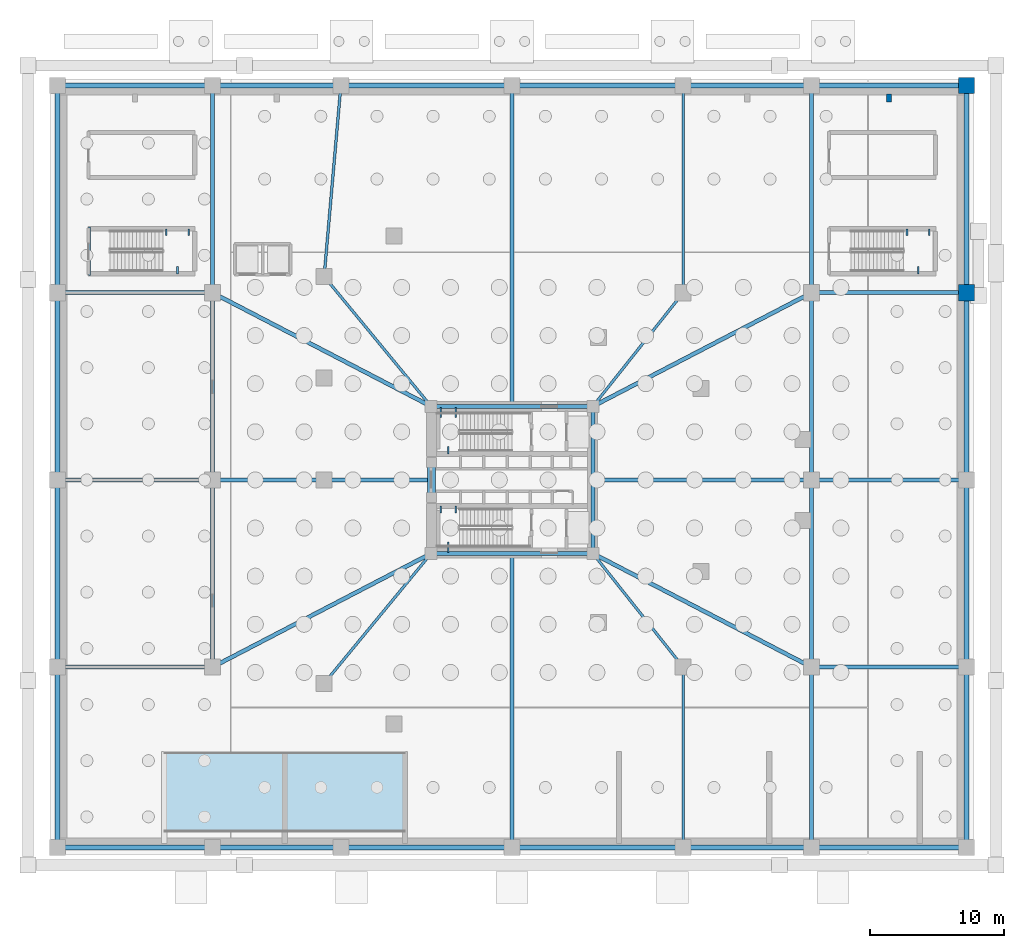
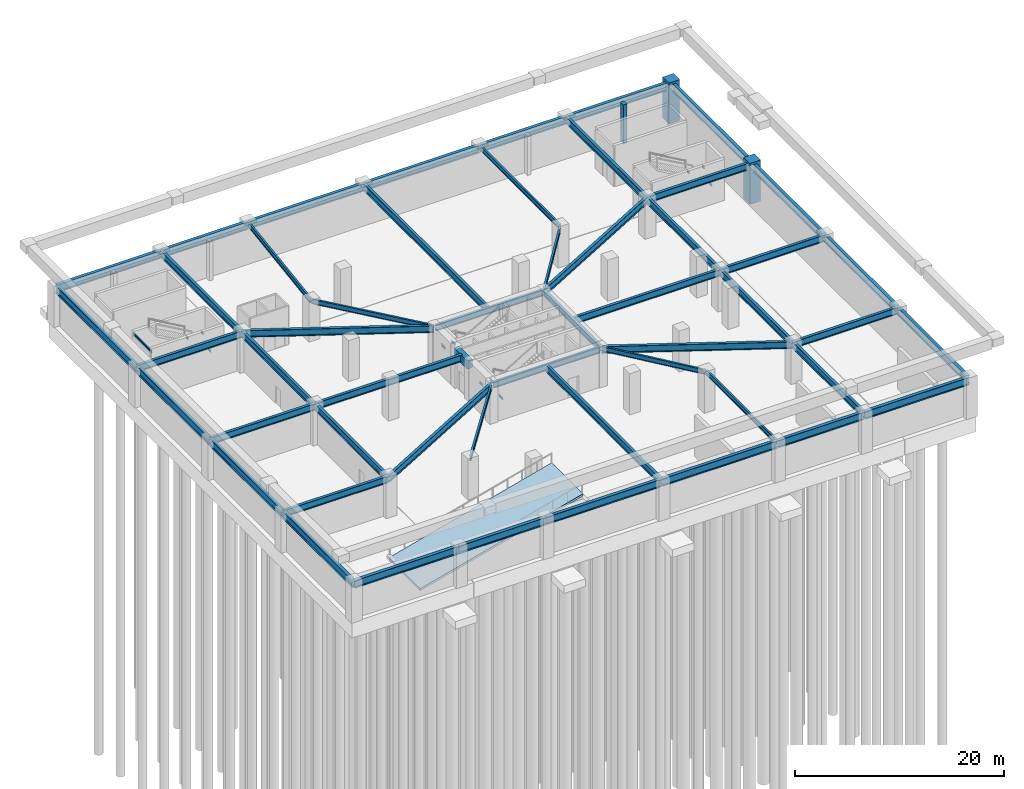
# One storey, part 3 of 14: 65 beams, 3 columns, 1 slab.
"""IFC4 building model written with IfcOpenShell, lengths in metres."""

from ifc_helpers import new_model, si_unit, direction, frame, origin, origin_2d, place, context, subcontext, project, spatial, polyline, rectangle, i_section, outline, extrude, source, transform, mapped, material, layer, layer_set, material_profile, profile_set, type_object, element, save


model = new_model("IFC4")

# Units and contexts
model_context = context("Model", 3, precision=1e-05, world=origin(), true_north=direction((0.0, 1.0)))
body_context = subcontext(model_context, "Body", "Model", "MODEL_VIEW")
ifc_project = project(units=[si_unit("LENGTHUNIT", "METRE"), si_unit("AREAUNIT", "SQUARE_METRE"), si_unit("VOLUMEUNIT", "CUBIC_METRE"), si_unit("PLANEANGLEUNIT", "RADIAN"), si_unit("MASSUNIT", "GRAM", prefix="KILO")], contexts=[model_context])

# Site, building, storey
site_placement = place(None, origin())
site = spatial("IfcSite", under=ifc_project, at=site_placement, CompositionType="ELEMENT")
building_placement = place(site_placement, origin())
building = spatial("IfcBuilding", under=site, at=building_placement, Name="Yunling Apex Tower", CompositionType="ELEMENT")
storey_placement = place(building_placement, frame((0.0, 0.0, -9.60009765625)))
storey = spatial("IfcBuildingStorey", under=building, at=storey_placement, Name="B02", CompositionType="ELEMENT", Elevation=-9.60009765625)

# Columns
ifc_material_1 = material(Name="Concrete C50", Category="concrete")
ifc_material_profile_1 = material_profile(ifc_material_1, rectangle(XDim=0.39990234375, YDim=0.60009765625, at=origin_2d()))
ifc_profile_set_1 = profile_set([ifc_material_profile_1], Name="Concrete C50")
column_type_1 = type_object("IfcColumnType", Name="PL-PIL-1", PredefinedType="PILASTER", material=ifc_profile_set_1)
shared_shape_1 = source(origin(), body_context, "Body", "SweptSolid", [
    extrude(rectangle(XDim=0.39990234375, YDim=0.60009765625, at=origin_2d()), origin(), (0.0, 0.0, 1.0), 4.5400390625),
])
column_placement = place(storey_placement, frame((28.199951171875, 28.550048828125, 0.0), z_axis=(0.0, 0.0, 1.0), x_axis=(1.0, 0.0, 0.0)))
element("IfcColumn", 1, at=column_placement, inside=storey, type_object=column_type_1, Name="B02 Retaining Wall Pilaster 4", PredefinedType="PILASTER", context=body_context, shape_type="MappedRepresentation", body=[
    mapped(shared_shape_1, transform((0.0, 0.0, 0.0), scale=1.0)),
])
ifc_material_2 = material(Name="Concrete C60", Category="concrete")
ifc_material_profile_2 = material_profile(ifc_material_2, rectangle(XDim=1.199951171875, YDim=1.199951171875, at=origin_2d()))
ifc_profile_set_2 = profile_set([ifc_material_profile_2], Name="Concrete C60")
column_type_2 = type_object("IfcColumnType", Name="PC-SRC-1", PredefinedType="COLUMN", material=ifc_profile_set_2)
shared_shape_2 = source(origin(), body_context, "Body", "SweptSolid", [
    extrude(rectangle(XDim=1.199951171875, YDim=1.199951171875, at=origin_2d()), origin(), (0.0, 0.0, 1.0), 4.800048828125),
])
for number, where, z_axis, x_axis, name in (
    (2, (34.0, 14.0, 0.0), (0.0, 0.0, 1.0), (1.0, 0.0, 0.0), "B02 Podium Mega-Column PC-23"),
    (3, (34.0, 29.5, 0.0), (0.0, 0.0, 1.0), (1.0, 0.0, 0.0), "B02 Podium Mega-Column PC-30"),
):
    element("IfcColumn", number, at=place(storey_placement, frame(where, z_axis=z_axis, x_axis=x_axis)), inside=storey, type_object=column_type_2, Name=name, PredefinedType="COLUMN", context=body_context, shape_type="MappedRepresentation", body=[
        mapped(shared_shape_2, transform((0.0, 0.0, 0.0), scale=1.0)),
    ])

# Beams
ifc_material_3 = material(Name="Steel Q355B", Category="steel")
ifc_material_profile_3 = material_profile(ifc_material_3, i_section(OverallWidth=0.125, OverallDepth=0.25, WebThickness=0.006103515625, FlangeThickness=0.009033203125, FilletRadius=0.011962890625, at=origin_2d()))
ifc_profile_set_3 = profile_set([ifc_material_profile_3], Name="Steel Q355B")
beam_type_1 = type_object("IfcBeamType", Name="BL-LNT-1", PredefinedType="LINTEL", material=ifc_profile_set_3)
shared_shape_3 = source(origin(), body_context, "Body", "SweptSolid", [
    extrude(i_section(OverallWidth=0.125, OverallDepth=0.25, WebThickness=0.006103515625, FlangeThickness=0.009033203125, FilletRadius=0.011962890625, at=origin_2d()), origin(), (0.0, 0.0, 1.0), 0.760009765625),
])
for number, where, z_axis, x_axis, name in (
    (4, (-5.320068359375, 5.419921875, 2.080078125), (0.0, -1.0, 0.0), (1.0, 0.0, 0.0), "B02 ST-1 Landing Bearing Corbel 1-1"),
    (5, (-4.2099609375, 5.419921875, 2.080078125), (0.0, -1.0, 0.0), (1.0, 0.0, 0.0), "B02 ST-1 Landing Bearing Corbel 1-2"),
    (6, (-4.764892578125, -5.419921875, 2.080078125), (0.0, 1.0, 0.0), (-1.0, 0.0, 0.0), "B02 ST-2 Landing Bearing Corbel 1-3"),
):
    element("IfcBeam", number, at=place(storey_placement, frame(where, z_axis=z_axis, x_axis=x_axis)), inside=storey, type_object=beam_type_1, Name=name, PredefinedType="LINTEL", context=body_context, shape_type="MappedRepresentation", body=[
        mapped(shared_shape_3, transform((0.0, 0.0, 0.0), scale=1.0)),
    ])
shared_shape_4 = source(origin(), body_context, "Body", "SweptSolid", [
    extrude(i_section(OverallWidth=0.125, OverallDepth=0.25, WebThickness=0.006103515625, FlangeThickness=0.009033203125, FilletRadius=0.011962890625, at=origin_2d()), origin(), (0.0, 0.0, 1.0), 0.550048828125),
])
for number, where, z_axis, x_axis, name in (
    (7, (-4.764892578125, 1.93994140625, 2.080078125), (0.0, 1.0, 0.0), (-1.0, 0.0, 0.0), "B02 ST-1 Landing Bearing Corbel 1-3"),
    (8, (-5.320068359375, -1.93994140625, 2.080078125), (0.0, -1.0, 0.0), (1.0, 0.0, 0.0), "B02 ST-2 Landing Bearing Corbel 1-1"),
    (9, (-4.2099609375, -1.93994140625, 2.080078125), (0.0, -1.0, 0.0), (1.0, 0.0, 0.0), "B02 ST-2 Landing Bearing Corbel 1-2"),
):
    element("IfcBeam", number, at=place(storey_placement, frame(where, z_axis=z_axis, x_axis=x_axis)), inside=storey, type_object=beam_type_1, Name=name, PredefinedType="LINTEL", context=body_context, shape_type="MappedRepresentation", body=[
        mapped(shared_shape_4, transform((0.0, 0.0, 0.0), scale=1.0)),
    ])
shared_shape_5 = source(origin(), body_context, "Body", "SweptSolid", [
    extrude(i_section(OverallWidth=0.125, OverallDepth=0.25, WebThickness=0.006103515625, FlangeThickness=0.009033203125, FilletRadius=0.011962890625, at=origin_2d()), origin(), (0.0, 0.0, 1.0), 0.47998046875),
])
for number, where, z_axis, x_axis, name in (
    (10, (-25.85009765625, 18.780029296875, 2.080078125), (0.0, -1.0, 0.0), (1.0, 0.0, 0.0), "B02 ST-P1 Landing Bearing Corbel 1-1"),
    (11, (-24.179931640625, 18.780029296875, 2.080078125), (0.0, -1.0, 0.0), (1.0, 0.0, 0.0), "B02 ST-P1 Landing Bearing Corbel 1-2"),
    (12, (29.550048828125, 18.780029296875, 2.080078125), (0.0, -1.0, 0.0), (1.0, 0.0, 0.0), "B02 ST-P2 Landing Bearing Corbel 1-1"),
    (13, (31.219970703125, 18.780029296875, 2.080078125), (0.0, -1.0, 0.0), (1.0, 0.0, 0.0), "B02 ST-P2 Landing Bearing Corbel 1-2"),
):
    element("IfcBeam", number, at=place(storey_placement, frame(where, z_axis=z_axis, x_axis=x_axis)), inside=storey, type_object=beam_type_1, Name=name, PredefinedType="LINTEL", context=body_context, shape_type="MappedRepresentation", body=[
        mapped(shared_shape_5, transform((0.0, 0.0, 0.0), scale=1.0)),
    ])
shared_shape_6 = source(origin(), body_context, "Body", "SweptSolid", [
    extrude(i_section(OverallWidth=0.125, OverallDepth=0.25, WebThickness=0.006103515625, FlangeThickness=0.009033203125, FilletRadius=0.011962890625, at=origin_2d()), origin(), (0.0, 0.0, 1.0), 0.530029296875),
])
for number, where, z_axis, x_axis, name in (
    (14, (-25.014892578125, 15.419921875, 2.080078125), (0.0, 1.0, 0.0), (-1.0, 0.0, 0.0), "B02 ST-P1 Landing Bearing Corbel 1-3"),
    (15, (30.385009765625, 15.419921875, 2.080078125), (0.0, 1.0, 0.0), (-1.0, 0.0, 0.0), "B02 ST-P2 Landing Bearing Corbel 1-3"),
):
    element("IfcBeam", number, at=place(storey_placement, frame(where, z_axis=z_axis, x_axis=x_axis)), inside=storey, type_object=beam_type_1, Name=name, PredefinedType="LINTEL", context=body_context, shape_type="MappedRepresentation", body=[
        mapped(shared_shape_6, transform((0.0, 0.0, 0.0), scale=1.0)),
    ])
ifc_material_profile_4 = material_profile(ifc_material_2, rectangle(XDim=0.60009765625, YDim=1.0, at=origin_2d()))
ifc_profile_set_4 = profile_set([ifc_material_profile_4], Name="Concrete C60")
beam_type_2 = type_object("IfcBeamType", Name="BC-CPL-1", PredefinedType="BEAM", material=ifc_profile_set_4)
shared_shape_7 = source(origin(), body_context, "Body", "SweptSolid", [
    extrude(rectangle(XDim=0.60009765625, YDim=1.0, at=origin_2d()), origin(), (0.0, 0.0, 1.0), 2.5),
])
beam_1_placement = place(storey_placement, frame((-6.02490234375, -1.25, 4.0400390625), z_axis=(0.0, 1.0, 0.0), x_axis=(-1.0, 0.0, 0.0)))
element("IfcBeam", 16, at=beam_1_placement, inside=storey, type_object=beam_type_2, Name="B02 Core West Portal Coupling Beam", PredefinedType="BEAM", context=body_context, shape_type="MappedRepresentation", body=[
    mapped(shared_shape_7, transform((0.0, 0.0, 0.0), scale=1.0)),
])
ifc_material_profile_5 = material_profile(ifc_material_3, i_section(OverallWidth=0.300048828125, OverallDepth=0.699951171875, WebThickness=0.012939453125, FlangeThickness=0.02392578125, FilletRadius=0.02587890625, at=origin_2d()))
ifc_profile_set_5 = profile_set([ifc_material_profile_5], Name="Steel Q355B")
beam_type_3 = type_object("IfcBeamType", Name="BG-PRI-3", PredefinedType="USERDEFINED", material=ifc_profile_set_5)
shared_shape_8 = source(origin(), body_context, "Body", "SweptSolid", [
    extrude(i_section(OverallWidth=0.300048828125, OverallDepth=0.699951171875, WebThickness=0.012939453125, FlangeThickness=0.02392578125, FilletRadius=0.02587890625, at=origin_2d()), origin(), (0.0, 0.0, 1.0), 11.7998046875),
])
for number, where, z_axis, x_axis, name in (
    (17, (-5.89990234375, -5.5, 4.190185546875), (1.0, 0.0, 0.0), (0.0, 1.0, 0.0), "B02 Core Ring Tie Beam 1"),
    (18, (5.89990234375, 5.5, 4.190185546875), (-1.0, 0.0, 0.0), (0.0, -1.0, 0.0), "B02 Core Ring Tie Beam 3"),
):
    element("IfcBeam", number, at=place(storey_placement, frame(where, z_axis=z_axis, x_axis=x_axis)), inside=storey, type_object=beam_type_3, Name=name, ObjectType="GIRDER", PredefinedType="USERDEFINED", context=body_context, shape_type="MappedRepresentation", body=[
        mapped(shared_shape_8, transform((0.0, 0.0, 0.0), scale=1.0)),
    ])
shared_shape_9 = source(origin(), body_context, "Body", "SweptSolid", [
    extrude(i_section(OverallWidth=0.300048828125, OverallDepth=0.699951171875, WebThickness=0.012939453125, FlangeThickness=0.02392578125, FilletRadius=0.02587890625, at=origin_2d()), origin(), (0.0, 0.0, 1.0), 10.7001953125),
])
beam_2_placement = place(storey_placement, frame((6.050048828125, -5.35009765625, 4.190185546875), z_axis=(0.0, 1.0, 0.0), x_axis=(-1.0, 0.0, 0.0)))
element("IfcBeam", 19, at=beam_2_placement, inside=storey, type_object=beam_type_3, Name="B02 Core Ring Tie Beam 2", ObjectType="GIRDER", PredefinedType="USERDEFINED", context=body_context, shape_type="MappedRepresentation", body=[
    mapped(shared_shape_9, transform((0.0, 0.0, 0.0), scale=1.0)),
])
ifc_material_profile_6 = material_profile(ifc_material_3, i_section(OverallWidth=0.35009765625, OverallDepth=0.89990234375, WebThickness=0.01806640625, FlangeThickness=0.028076171875, FilletRadius=0.02392578125, at=origin_2d()))
ifc_profile_set_6 = profile_set([ifc_material_profile_6], Name="Steel Q355B")
beam_type_4 = type_object("IfcBeamType", Name="BG-PRI-1", PredefinedType="USERDEFINED", material=ifc_profile_set_6)
shared_shape_10 = source(origin(), body_context, "Body", "SweptSolid", [
    extrude(i_section(OverallWidth=0.35009765625, OverallDepth=0.89990234375, WebThickness=0.01806640625, FlangeThickness=0.028076171875, FilletRadius=0.02392578125, at=origin_2d()), origin(), (0.0, 0.0, 1.0), 11.52001953125),
])
for number, where, z_axis, x_axis, name in (
    (20, (-33.9599609375, -27.5, 4.090087890625), (1.0, 0.0, 0.0), (0.0, 1.0, 0.0), "B02 Podium Edge Girder 1"),
    (21, (22.43994140625, -27.5, 4.090087890625), (1.0, 0.0, 0.0), (0.0, 1.0, 0.0), "B02 Podium Edge Girder 6"),
    (22, (-33.9599609375, 29.5, 4.090087890625), (1.0, 0.0, 0.0), (0.0, 1.0, 0.0), "B02 Podium Edge Girder 7"),
    (23, (22.43994140625, 29.5, 4.090087890625), (1.0, 0.0, 0.0), (0.0, 1.0, 0.0), "B02 Podium Edge Girder 12"),
):
    element("IfcBeam", number, at=place(storey_placement, frame(where, z_axis=z_axis, x_axis=x_axis)), inside=storey, type_object=beam_type_4, Name=name, ObjectType="GIRDER", PredefinedType="USERDEFINED", context=body_context, shape_type="MappedRepresentation", body=[
        mapped(shared_shape_10, transform((0.0, 0.0, 0.0), scale=1.0)),
    ])
shared_shape_11 = source(origin(), body_context, "Body", "SweptSolid", [
    extrude(i_section(OverallWidth=0.35009765625, OverallDepth=0.89990234375, WebThickness=0.01806640625, FlangeThickness=0.028076171875, FilletRadius=0.02392578125, at=origin_2d()), origin(), (0.0, 0.0, 1.0), 9.52001953125),
])
for number, where, z_axis, x_axis, name in (
    (24, (-22.360107421875, -27.5, 4.090087890625), (1.0, 0.0, 0.0), (0.0, 1.0, 0.0), "B02 Podium Edge Girder 2"),
    (25, (12.840087890625, -27.5, 4.090087890625), (1.0, 0.0, 0.0), (0.0, 1.0, 0.0), "B02 Podium Edge Girder 5"),
    (26, (-22.360107421875, 29.5, 4.090087890625), (1.0, 0.0, 0.0), (0.0, 1.0, 0.0), "B02 Podium Edge Girder 8"),
    (27, (12.840087890625, 29.5, 4.090087890625), (1.0, 0.0, 0.0), (0.0, 1.0, 0.0), "B02 Podium Edge Girder 11"),
):
    element("IfcBeam", number, at=place(storey_placement, frame(where, z_axis=z_axis, x_axis=x_axis)), inside=storey, type_object=beam_type_4, Name=name, ObjectType="GIRDER", PredefinedType="USERDEFINED", context=body_context, shape_type="MappedRepresentation", body=[
        mapped(shared_shape_11, transform((0.0, 0.0, 0.0), scale=1.0)),
    ])
shared_shape_12 = source(origin(), body_context, "Body", "SweptSolid", [
    extrude(i_section(OverallWidth=0.35009765625, OverallDepth=0.89990234375, WebThickness=0.01806640625, FlangeThickness=0.028076171875, FilletRadius=0.02392578125, at=origin_2d()), origin(), (0.0, 0.0, 1.0), 12.719970703125),
])
for number, where, z_axis, x_axis, name in (
    (28, (-12.760009765625, -27.5, 4.090087890625), (1.0, 0.0, 0.0), (0.0, 1.0, 0.0), "B02 Podium Edge Girder 3"),
    (29, (0.0400390625, -27.5, 4.090087890625), (1.0, 0.0, 0.0), (0.0, 1.0, 0.0), "B02 Podium Edge Girder 4"),
    (30, (-12.760009765625, 29.5, 4.090087890625), (1.0, 0.0, 0.0), (0.0, 1.0, 0.0), "B02 Podium Edge Girder 9"),
    (31, (0.0400390625, 29.5, 4.090087890625), (1.0, 0.0, 0.0), (0.0, 1.0, 0.0), "B02 Podium Edge Girder 10"),
):
    element("IfcBeam", number, at=place(storey_placement, frame(where, z_axis=z_axis, x_axis=x_axis)), inside=storey, type_object=beam_type_4, Name=name, ObjectType="GIRDER", PredefinedType="USERDEFINED", context=body_context, shape_type="MappedRepresentation", body=[
        mapped(shared_shape_12, transform((0.0, 0.0, 0.0), scale=1.0)),
    ])
shared_shape_13 = source(origin(), body_context, "Body", "SweptSolid", [
    extrude(i_section(OverallWidth=0.35009765625, OverallDepth=0.89990234375, WebThickness=0.01806640625, FlangeThickness=0.028076171875, FilletRadius=0.02392578125, at=origin_2d()), origin(), (0.0, 0.0, 1.0), 13.419921875),
])
for number, where, z_axis, x_axis, name in (
    (32, (-34.0, -27.4599609375, 4.090087890625), (0.0, 1.0, 0.0), (-1.0, 0.0, 0.0), "B02 Podium Side Girder 13"),
    (33, (34.0, -27.4599609375, 4.090087890625), (0.0, 1.0, 0.0), (-1.0, 0.0, 0.0), "B02 Podium Side Girder 17"),
):
    element("IfcBeam", number, at=place(storey_placement, frame(where, z_axis=z_axis, x_axis=x_axis)), inside=storey, type_object=beam_type_4, Name=name, ObjectType="GIRDER", PredefinedType="USERDEFINED", context=body_context, shape_type="MappedRepresentation", body=[
        mapped(shared_shape_13, transform((0.0, 0.0, 0.0), scale=1.0)),
    ])
shared_shape_14 = source(origin(), body_context, "Body", "SweptSolid", [
    extrude(i_section(OverallWidth=0.35009765625, OverallDepth=0.89990234375, WebThickness=0.01806640625, FlangeThickness=0.028076171875, FilletRadius=0.02392578125, at=origin_2d()), origin(), (0.0, 0.0, 1.0), 13.919921875),
])
for number, where, z_axis, x_axis, name in (
    (34, (-34.0, -13.9599609375, 4.090087890625), (0.0, 1.0, 0.0), (-1.0, 0.0, 0.0), "B02 Podium Side Girder 14"),
    (35, (-34.0, 0.0400390625, 4.090087890625), (0.0, 1.0, 0.0), (-1.0, 0.0, 0.0), "B02 Podium Side Girder 15"),
    (36, (34.0, -13.9599609375, 4.090087890625), (0.0, 1.0, 0.0), (-1.0, 0.0, 0.0), "B02 Podium Side Girder 18"),
    (37, (34.0, 0.0400390625, 4.090087890625), (0.0, 1.0, 0.0), (-1.0, 0.0, 0.0), "B02 Podium Side Girder 19"),
):
    element("IfcBeam", number, at=place(storey_placement, frame(where, z_axis=z_axis, x_axis=x_axis)), inside=storey, type_object=beam_type_4, Name=name, ObjectType="GIRDER", PredefinedType="USERDEFINED", context=body_context, shape_type="MappedRepresentation", body=[
        mapped(shared_shape_14, transform((0.0, 0.0, 0.0), scale=1.0)),
    ])
shared_shape_15 = source(origin(), body_context, "Body", "SweptSolid", [
    extrude(i_section(OverallWidth=0.35009765625, OverallDepth=0.89990234375, WebThickness=0.01806640625, FlangeThickness=0.028076171875, FilletRadius=0.02392578125, at=origin_2d()), origin(), (0.0, 0.0, 1.0), 15.419921875),
])
for number, where, z_axis, x_axis, name in (
    (38, (-34.0, 14.0400390625, 4.090087890625), (0.0, 1.0, 0.0), (-1.0, 0.0, 0.0), "B02 Podium Side Girder 16"),
    (39, (34.0, 14.0400390625, 4.090087890625), (0.0, 1.0, 0.0), (-1.0, 0.0, 0.0), "B02 Podium Side Girder 20"),
):
    element("IfcBeam", number, at=place(storey_placement, frame(where, z_axis=z_axis, x_axis=x_axis)), inside=storey, type_object=beam_type_4, Name=name, ObjectType="GIRDER", PredefinedType="USERDEFINED", context=body_context, shape_type="MappedRepresentation", body=[
        mapped(shared_shape_15, transform((0.0, 0.0, 0.0), scale=1.0)),
    ])
ifc_material_profile_7 = material_profile(ifc_material_3, i_section(OverallWidth=0.300048828125, OverallDepth=0.800048828125, WebThickness=0.013916015625, FlangeThickness=0.02587890625, FilletRadius=0.028076171875, at=origin_2d()))
ifc_profile_set_7 = profile_set([ifc_material_profile_7], Name="Steel Q355B")
beam_type_5 = type_object("IfcBeamType", Name="BG-PRI-2", PredefinedType="USERDEFINED", material=ifc_profile_set_7)
shared_shape_16 = source(origin(), body_context, "Body", "SweptSolid", [
    extrude(i_section(OverallWidth=0.300048828125, OverallDepth=0.800048828125, WebThickness=0.013916015625, FlangeThickness=0.02587890625, FilletRadius=0.028076171875, at=origin_2d()), origin(), (0.0, 0.0, 1.0), 11.52001953125),
])
for number, where, z_axis, x_axis, name in (
    (40, (-33.9599609375, 14.0, 4.14013671875), (1.0, 0.0, 0.0), (0.0, 1.0, 0.0), "B02 Podium Primary Girder 1"),
    (41, (22.43994140625, 14.0, 4.14013671875), (1.0, 0.0, 0.0), (0.0, 1.0, 0.0), "B02 Podium Primary Girder 4"),
    (42, (-33.9599609375, -14.0, 4.14013671875), (1.0, 0.0, 0.0), (0.0, 1.0, 0.0), "B02 Podium Primary Girder 5"),
    (43, (22.43994140625, -14.0, 4.14013671875), (1.0, 0.0, 0.0), (0.0, 1.0, 0.0), "B02 Podium Primary Girder 8"),
    (44, (-33.9599609375, 0.0, 4.14013671875), (1.0, 0.0, 0.0), (0.0, 1.0, 0.0), "B02 Podium Primary Girder 9"),
    (45, (22.43994140625, 0.0, 4.14013671875), (1.0, 0.0, 0.0), (0.0, 1.0, 0.0), "B02 Podium Primary Girder 12"),
):
    element("IfcBeam", number, at=place(storey_placement, frame(where, z_axis=z_axis, x_axis=x_axis)), inside=storey, type_object=beam_type_5, Name=name, ObjectType="GIRDER", PredefinedType="USERDEFINED", context=body_context, shape_type="MappedRepresentation", body=[
        mapped(shared_shape_16, transform((0.0, 0.0, 0.0), scale=1.0)),
    ])
shared_shape_17 = source(origin(), body_context, "Body", "SweptSolid", [
    extrude(i_section(OverallWidth=0.300048828125, OverallDepth=0.800048828125, WebThickness=0.013916015625, FlangeThickness=0.02587890625, FilletRadius=0.028076171875, at=origin_2d()), origin(), (0.0, 0.0, 1.0), 18.347412109375),
])
for number, where, z_axis, x_axis, name in (
    (46, (-22.364501953125, 13.9814453125, 4.14013671875), (0.887266251523, -0.461257627481, 0.0), (0.461257627481, 0.887266251523, 0.0), "B02 Podium Primary Girder 2"),
    (47, (6.08544921875, 5.5185546875, 4.14013671875), (0.887266251523, 0.461257627481, 0.0), (-0.461257627481, 0.887266251523, 0.0), "B02 Podium Primary Girder 3"),
    (48, (-22.364501953125, -13.9814453125, 4.14013671875), (0.887266251523, 0.461257627481, 0.0), (-0.461257627481, 0.887266251523, 0.0), "B02 Podium Primary Girder 6"),
    (49, (6.08544921875, -5.5185546875, 4.14013671875), (0.887266251523, -0.461257627481, 0.0), (0.461257627481, 0.887266251523, 0.0), "B02 Podium Primary Girder 7"),
):
    element("IfcBeam", number, at=place(storey_placement, frame(where, z_axis=z_axis, x_axis=x_axis)), inside=storey, type_object=beam_type_5, Name=name, ObjectType="GIRDER", PredefinedType="USERDEFINED", context=body_context, shape_type="MappedRepresentation", body=[
        mapped(shared_shape_17, transform((0.0, 0.0, 0.0), scale=1.0)),
    ])
shared_shape_18 = source(origin(), body_context, "Body", "SweptSolid", [
    extrude(i_section(OverallWidth=0.300048828125, OverallDepth=0.800048828125, WebThickness=0.013916015625, FlangeThickness=0.02587890625, FilletRadius=0.028076171875, at=origin_2d()), origin(), (0.0, 0.0, 1.0), 16.22021484375),
])
for number, where, z_axis, x_axis, name in (
    (50, (-22.360107421875, 0.0, 4.14013671875), (1.0, 0.0, 0.0), (0.0, 1.0, 0.0), "B02 Podium Primary Girder 10"),
    (51, (6.139892578125, 0.0, 4.14013671875), (1.0, 0.0, 0.0), (0.0, 1.0, 0.0), "B02 Podium Primary Girder 11"),
):
    element("IfcBeam", number, at=place(storey_placement, frame(where, z_axis=z_axis, x_axis=x_axis)), inside=storey, type_object=beam_type_5, Name=name, ObjectType="GIRDER", PredefinedType="USERDEFINED", context=body_context, shape_type="MappedRepresentation", body=[
        mapped(shared_shape_18, transform((0.0, 0.0, 0.0), scale=1.0)),
    ])
shared_shape_19 = source(origin(), body_context, "Body", "SweptSolid", [
    extrude(i_section(OverallWidth=0.300048828125, OverallDepth=0.800048828125, WebThickness=0.013916015625, FlangeThickness=0.02587890625, FilletRadius=0.028076171875, at=origin_2d()), origin(), (0.0, 0.0, 1.0), 15.419921875),
])
for number, where, z_axis, x_axis, name in (
    (52, (-22.39990234375, 29.4599609375, 4.14013671875), (0.0, -1.0, 0.0), (1.0, 0.0, 0.0), "B02 Podium Primary Girder 13"),
    (53, (22.39990234375, 29.4599609375, 4.14013671875), (0.0, -1.0, 0.0), (1.0, 0.0, 0.0), "B02 Podium Primary Girder 17"),
):
    element("IfcBeam", number, at=place(storey_placement, frame(where, z_axis=z_axis, x_axis=x_axis)), inside=storey, type_object=beam_type_5, Name=name, ObjectType="GIRDER", PredefinedType="USERDEFINED", context=body_context, shape_type="MappedRepresentation", body=[
        mapped(shared_shape_19, transform((0.0, 0.0, 0.0), scale=1.0)),
    ])
shared_shape_20 = source(origin(), body_context, "Body", "SweptSolid", [
    extrude(i_section(OverallWidth=0.300048828125, OverallDepth=0.800048828125, WebThickness=0.013916015625, FlangeThickness=0.02587890625, FilletRadius=0.028076171875, at=origin_2d()), origin(), (0.0, 0.0, 1.0), 13.919921875),
])
for number, where, z_axis, x_axis, name in (
    (54, (-22.39990234375, 13.9599609375, 4.14013671875), (0.0, -1.0, 0.0), (1.0, 0.0, 0.0), "B02 Podium Primary Girder 14"),
    (55, (-22.39990234375, -0.0400390625, 4.14013671875), (0.0, -1.0, 0.0), (1.0, 0.0, 0.0), "B02 Podium Primary Girder 15"),
    (56, (22.39990234375, 13.9599609375, 4.14013671875), (0.0, -1.0, 0.0), (1.0, 0.0, 0.0), "B02 Podium Primary Girder 18"),
    (57, (22.39990234375, -0.0400390625, 4.14013671875), (0.0, -1.0, 0.0), (1.0, 0.0, 0.0), "B02 Podium Primary Girder 19"),
):
    element("IfcBeam", number, at=place(storey_placement, frame(where, z_axis=z_axis, x_axis=x_axis)), inside=storey, type_object=beam_type_5, Name=name, ObjectType="GIRDER", PredefinedType="USERDEFINED", context=body_context, shape_type="MappedRepresentation", body=[
        mapped(shared_shape_20, transform((0.0, 0.0, 0.0), scale=1.0)),
    ])
shared_shape_21 = source(origin(), body_context, "Body", "SweptSolid", [
    extrude(i_section(OverallWidth=0.300048828125, OverallDepth=0.800048828125, WebThickness=0.013916015625, FlangeThickness=0.02587890625, FilletRadius=0.028076171875, at=origin_2d()), origin(), (0.0, 0.0, 1.0), 13.419921875),
])
beam_3_placement = place(storey_placement, frame((22.39990234375, -14.0400390625, 4.14013671875), z_axis=(0.0, -1.0, 0.0), x_axis=(1.0, 0.0, 0.0)))
element("IfcBeam", 58, at=beam_3_placement, inside=storey, type_object=beam_type_5, Name="B02 Podium Primary Girder 20", ObjectType="GIRDER", PredefinedType="USERDEFINED", context=body_context, shape_type="MappedRepresentation", body=[
    mapped(shared_shape_21, transform((0.0, 0.0, 0.0), scale=1.0)),
])
shared_shape_22 = source(origin(), body_context, "Body", "SweptSolid", [
    extrude(i_section(OverallWidth=0.300048828125, OverallDepth=0.800048828125, WebThickness=0.013916015625, FlangeThickness=0.02587890625, FilletRadius=0.028076171875, at=origin_2d()), origin(), (0.0, 0.0, 1.0), 23.869873046875),
])
beam_4_placement = place(storey_placement, frame((0.0, 29.4599609375, 4.14013671875), z_axis=(0.0, -1.0, 0.0), x_axis=(1.0, 0.0, 0.0)))
element("IfcBeam", 59, at=beam_4_placement, inside=storey, type_object=beam_type_5, Name="B02 Podium Primary Girder 21", ObjectType="GIRDER", PredefinedType="USERDEFINED", context=body_context, shape_type="MappedRepresentation", body=[
    mapped(shared_shape_22, transform((0.0, 0.0, 0.0), scale=1.0)),
])
shared_shape_23 = source(origin(), body_context, "Body", "SweptSolid", [
    extrude(i_section(OverallWidth=0.300048828125, OverallDepth=0.800048828125, WebThickness=0.013916015625, FlangeThickness=0.02587890625, FilletRadius=0.028076171875, at=origin_2d()), origin(), (0.0, 0.0, 1.0), 21.869873046875),
])
beam_5_placement = place(storey_placement, frame((0.0, -27.4599609375, 4.14013671875), z_axis=(0.0, 1.0, 0.0), x_axis=(-1.0, 0.0, 0.0)))
element("IfcBeam", 60, at=beam_5_placement, inside=storey, type_object=beam_type_5, Name="B02 Podium Primary Girder 22", ObjectType="GIRDER", PredefinedType="USERDEFINED", context=body_context, shape_type="MappedRepresentation", body=[
    mapped(shared_shape_23, transform((0.0, 0.0, 0.0), scale=1.0)),
])
ifc_material_profile_8 = material_profile(ifc_material_3, i_section(OverallWidth=0.199951171875, OverallDepth=0.550048828125, WebThickness=0.010009765625, FlangeThickness=0.01611328125, FilletRadius=0.02001953125, at=origin_2d()))
ifc_profile_set_8 = profile_set([ifc_material_profile_8], Name="Steel Q355B")
beam_type_6 = type_object("IfcBeamType", Name="BS-SEC-1", PredefinedType="BEAM", material=ifc_profile_set_8)
shared_shape_24 = source(origin(), body_context, "Body", "SweptSolid", [
    extrude(i_section(OverallWidth=0.199951171875, OverallDepth=0.550048828125, WebThickness=0.010009765625, FlangeThickness=0.01611328125, FilletRadius=0.02001953125, at=origin_2d()), origin(), (0.0, 0.0, 1.0), 14.255859375),
])
beam_6_placement = place(storey_placement, frame((-12.803466796875, 29.460205078125, 4.26513671875), z_axis=(-0.087340515192, -0.99617851533, 0.0), x_axis=(0.99617851533, -0.087340515192, 0.0)))
element("IfcBeam", 61, at=beam_6_placement, inside=storey, type_object=beam_type_6, Name="B02 Podium Secondary Beam 1", PredefinedType="BEAM", context=body_context, shape_type="MappedRepresentation", body=[
    mapped(shared_shape_24, transform((0.0, 0.0, 0.0), scale=1.0)),
])
shared_shape_25 = source(origin(), body_context, "Body", "SweptSolid", [
    extrude(i_section(OverallWidth=0.199951171875, OverallDepth=0.550048828125, WebThickness=0.010009765625, FlangeThickness=0.01611328125, FilletRadius=0.02001953125, at=origin_2d()), origin(), (0.0, 0.0, 1.0), 12.509033203125),
])
for number, where, z_axis, x_axis, name in (
    (62, (-14.026611328125, 15.18798828125, 4.26513671875), (0.635629262148, -0.771994456652, 0.0), (0.771994456652, 0.635629262148, 0.0), "B02 Podium Secondary Beam 2"),
    (63, (-14.026611328125, -15.18798828125, 4.26513671875), (0.635629262148, 0.771994456652, 0.0), (-0.771994456652, 0.635629262148, 0.0), "B02 Podium Secondary Beam 6"),
):
    element("IfcBeam", number, at=place(storey_placement, frame(where, z_axis=z_axis, x_axis=x_axis)), inside=storey, type_object=beam_type_6, Name=name, PredefinedType="BEAM", context=body_context, shape_type="MappedRepresentation", body=[
        mapped(shared_shape_25, transform((0.0, 0.0, 0.0), scale=1.0)),
    ])
shared_shape_26 = source(origin(), body_context, "Body", "SweptSolid", [
    extrude(i_section(OverallWidth=0.199951171875, OverallDepth=0.550048828125, WebThickness=0.010009765625, FlangeThickness=0.01611328125, FilletRadius=0.02001953125, at=origin_2d()), origin(), (0.0, 0.0, 1.0), 15.419921875),
])
beam_7_placement = place(storey_placement, frame((12.800048828125, 29.4599609375, 4.26513671875), z_axis=(0.0, -1.0, 0.0), x_axis=(1.0, 0.0, 0.0)))
element("IfcBeam", 64, at=beam_7_placement, inside=storey, type_object=beam_type_6, Name="B02 Podium Secondary Beam 3", PredefinedType="BEAM", context=body_context, shape_type="MappedRepresentation", body=[
    mapped(shared_shape_26, transform((0.0, 0.0, 0.0), scale=1.0)),
])
shared_shape_27 = source(origin(), body_context, "Body", "SweptSolid", [
    extrude(i_section(OverallWidth=0.199951171875, OverallDepth=0.550048828125, WebThickness=0.010009765625, FlangeThickness=0.01611328125, FilletRadius=0.02001953125, at=origin_2d()), origin(), (0.0, 0.0, 1.0), 10.774169921875),
])
for number, where, z_axis, x_axis, name in (
    (65, (12.775146484375, 13.96875, 4.26513671875), (-0.621872334374, -0.783118637078, 0.0), (0.783118637078, -0.621872334374, 0.0), "B02 Podium Secondary Beam 4"),
    (66, (12.775146484375, -13.96875, 4.26513671875), (-0.621872334374, 0.783118637078, 0.0), (-0.783118637078, -0.621872334374, 0.0), "B02 Podium Secondary Beam 8"),
):
    element("IfcBeam", number, at=place(storey_placement, frame(where, z_axis=z_axis, x_axis=x_axis)), inside=storey, type_object=beam_type_6, Name=name, PredefinedType="BEAM", context=body_context, shape_type="MappedRepresentation", body=[
        mapped(shared_shape_27, transform((0.0, 0.0, 0.0), scale=1.0)),
    ])
shared_shape_28 = source(origin(), body_context, "Body", "SweptSolid", [
    extrude(i_section(OverallWidth=0.199951171875, OverallDepth=0.550048828125, WebThickness=0.010009765625, FlangeThickness=0.01611328125, FilletRadius=0.02001953125, at=origin_2d()), origin(), (0.0, 0.0, 1.0), 13.419921875),
])
beam_8_placement = place(storey_placement, frame((12.800048828125, -27.4599609375, 4.26513671875), z_axis=(0.0, 1.0, 0.0), x_axis=(-1.0, 0.0, 0.0)))
element("IfcBeam", 67, at=beam_8_placement, inside=storey, type_object=beam_type_6, Name="B02 Podium Secondary Beam 7", PredefinedType="BEAM", context=body_context, shape_type="MappedRepresentation", body=[
    mapped(shared_shape_28, transform((0.0, 0.0, 0.0), scale=1.0)),
])
shared_shape_29 = source(origin(), body_context, "Body", "SweptSolid", [
    extrude(i_section(OverallWidth=0.125, OverallDepth=0.25, WebThickness=0.006103515625, FlangeThickness=0.009033203125, FilletRadius=0.011962890625, at=origin_2d()), origin(), (0.0, 0.0, 1.0), 3.639892578125),
])
beam_9_placement = place(storey_placement, frame((-31.60009765625, 15.280029296875, 4.39013671875), z_axis=(0.0, 1.0, 0.0), x_axis=(-1.0, 0.0, 0.0)))
element("IfcBeam", 68, at=beam_9_placement, inside=storey, type_object=beam_type_1, Name="B02 Secondary Spandrel Lintel BL-LNT-B02-1", PredefinedType="LINTEL", context=body_context, shape_type="MappedRepresentation", body=[
    mapped(shared_shape_29, transform((0.0, 0.0, 0.0), scale=1.0)),
])

# Slab
ifc_material_4 = material(Name="Concrete C40", Category="concrete")
ifc_layer = layer(ifc_material_4, 0.25)
ifc_layer_set = layer_set([ifc_layer], Name="Concrete C40")
slab_type = type_object("IfcSlabType", Name="SL-VRMP-1", PredefinedType="FLOOR", material=ifc_layer_set)
slab_placement = place(storey_placement, frame((-26.001953125, -26.35009765625, 0.0), z_axis=(-0.257612903315, 0.0, 0.966248204162), x_axis=(0.966248204162, 0.0, 0.257612903315)))
element("IfcSlab", 69, at=slab_placement, inside=storey, type_object=slab_type, Name="B02 to B01 Two-Way Structural Vehicle Ramp Slab", PredefinedType="FLOOR", context=body_context, shape_type="SweptSolid", body=[
    extrude(outline(polyline([(0.0, 0.0), (18.632796596624278, 0.0), (18.632796596624278, 6.0), (0.0, 6.0), (0.0, 0.0)])), origin(), (-0.257612903315, 0.0, -0.966248204162), 0.2587890625),
])

save(model, "model.ifc")
